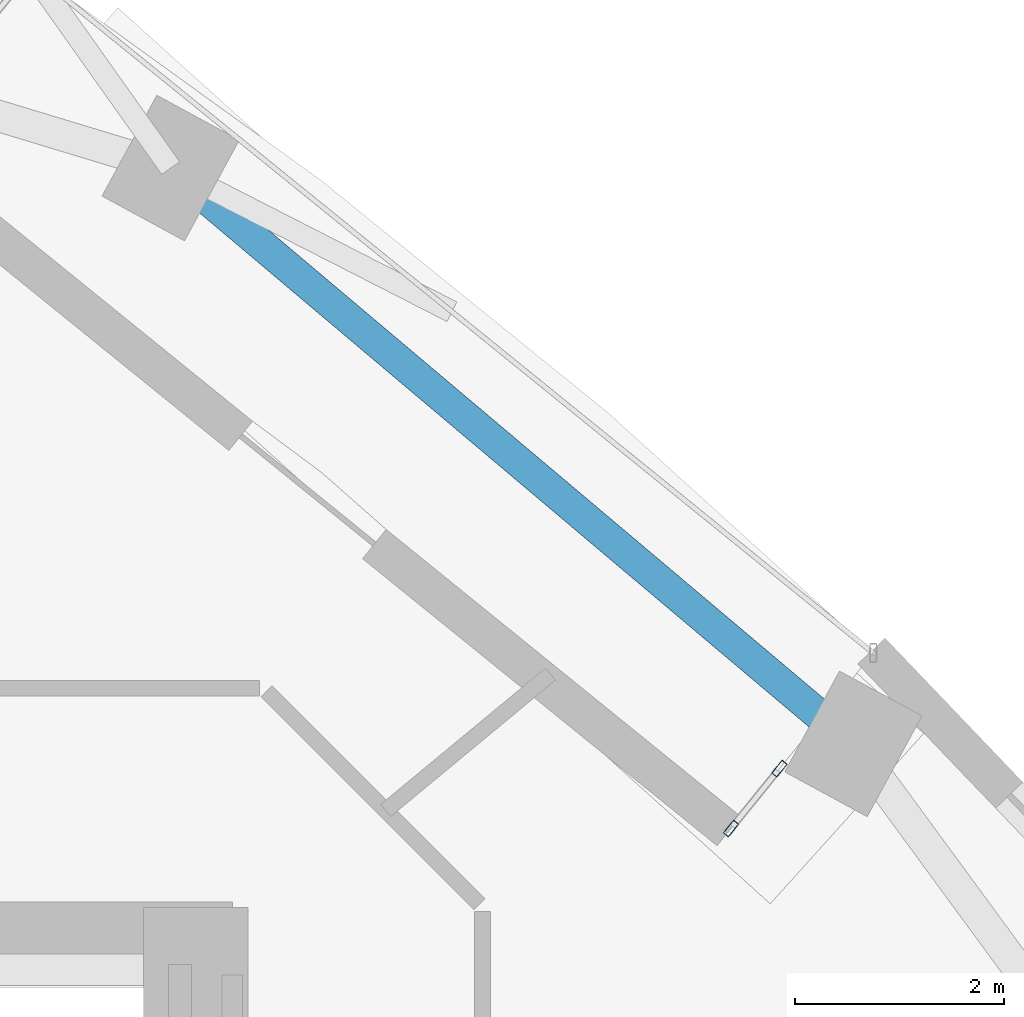
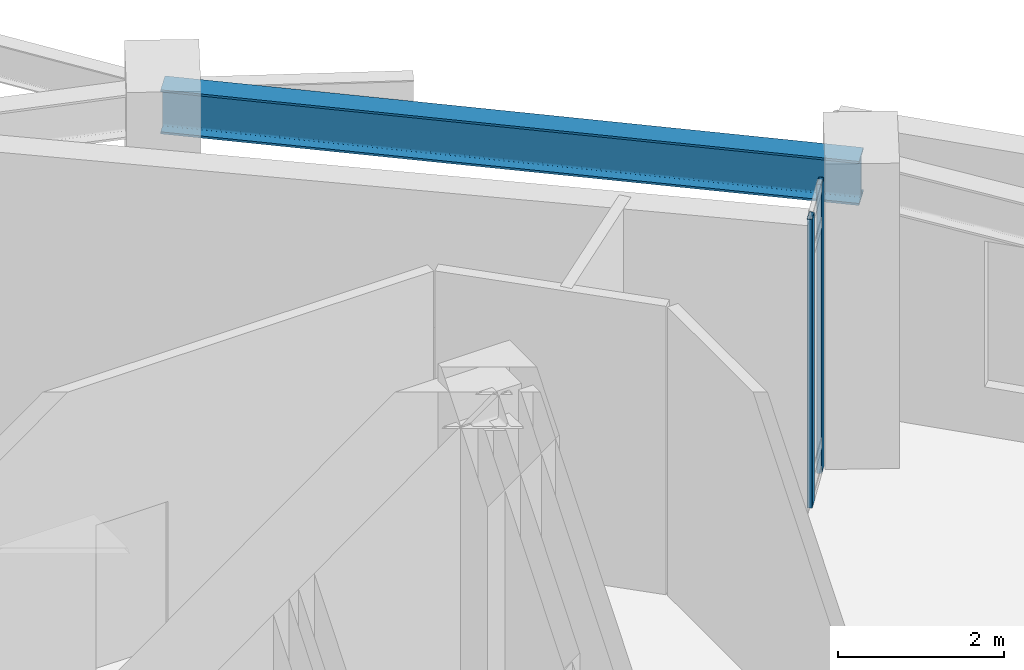
# One storey, part 4 of 16: 2 members, 1 beam, 1 element without a shape of its own.
"""IFC4 building model written with IfcOpenShell, lengths in metres."""

from ifc_helpers import new_model, si_unit, direction, frame, origin, origin_2d, place, context, subcontext, project, spatial, hollow_rectangle, i_section, extrude, material, layer, layer_set, material_profile, profile_set, type_object, element, aggregate, save


model = new_model("IFC4")

# Units and contexts
model_context = context("Model", 3, precision=1e-05, world=origin(), true_north=direction((0.0, 1.0)))
body_context = subcontext(model_context, "Body", "Model", "MODEL_VIEW")
ifc_project = project(units=[si_unit("LENGTHUNIT", "METRE"), si_unit("AREAUNIT", "SQUARE_METRE"), si_unit("VOLUMEUNIT", "CUBIC_METRE"), si_unit("PLANEANGLEUNIT", "RADIAN"), si_unit("MASSUNIT", "GRAM", prefix="KILO")], contexts=[model_context])

# Site, building, storey
site_placement = place(None, origin())
site = spatial("IfcSite", under=ifc_project, at=site_placement, CompositionType="ELEMENT")
building_placement = place(site_placement, origin())
building = spatial("IfcBuilding", under=site, at=building_placement, Name="Ndelora Gate Hotel", CompositionType="ELEMENT")
storey_placement = place(building_placement, frame((0.0, 0.0, 92.75)))
storey = spatial("IfcBuildingStorey", under=building, at=storey_placement, Name="L22", CompositionType="ELEMENT", Elevation=92.75)

# Beam
ifc_material_1 = material(Name="Steel S355", Category="steel")
ifc_material_profile_1 = material_profile(ifc_material_1, i_section(OverallWidth=0.300048828125, OverallDepth=0.64990234375, WebThickness=0.01611328125, FlangeThickness=0.031005859375, FilletRadius=0.027099609375, at=origin_2d()), Name="HEB 650")
ifc_profile_set_1 = profile_set([ifc_material_profile_1], Name="Steel S355")
beam_type = type_object("IfcBeamType", Name="BM-RING-650", PredefinedType="SPANDREL", material=ifc_profile_set_1)
beam_placement = place(storey_placement, frame((14.30712890625, 8.767333984375, 3.925048828125), z_axis=(-0.76440691948, 0.644734101356, 0.0), x_axis=(-0.644734101356, -0.76440691948, 0.0)))
element("IfcBeam", 1, at=beam_placement, inside=storey, type_object=beam_type, Name="L22 Perimeter Spandrel Girder 10", PredefinedType="SPANDREL", context=body_context, shape_type="SweptSolid", body=[
    extrude(i_section(OverallWidth=0.300048828125, OverallDepth=0.64990234375, WebThickness=0.01611328125, FlangeThickness=0.031005859375, FilletRadius=0.027099609375, at=origin_2d()), origin(), (0.0, 0.0, 1.0), 8.566162109375),
])

# Curtain wall, members
ifc_material_2 = material(Name="Bronze Anodised Unitised Aluminium and Low-E Glass", Category="aluminium")
ifc_layer = layer(ifc_material_2, 0.199951171875)
ifc_layer_set = layer_set([ifc_layer], Name="Bronze Anodised Unitised Aluminium and Low-E Glass")
curtain_wall_type = type_object("IfcCurtainWallType", Name="CW-SYS-3", PredefinedType="NOTDEFINED", material=ifc_layer_set)
curtain_wall_placement = place(storey_placement, origin())
curtain_wall = element("IfcCurtainWall", 2, at=curtain_wall_placement, inside=storey, type_object=curtain_wall_type, Name="L22 Sky-Garden Loggia Side Curtain Wall CW3-1", PredefinedType="NOTDEFINED")
ifc_material_3 = material(Name="Bronze Anodised Aluminium 6063-T6", Category="aluminium")
ifc_material_profile_2 = material_profile(ifc_material_3, hollow_rectangle(XDim=0.06494140625, YDim=0.159912109375, WallThickness=0.00390625, InnerFilletRadius=0.00390625, OuterFilletRadius=0.008056640625, at=origin_2d()), Name="ALU 160x65x4")
ifc_profile_set_2 = profile_set([ifc_material_profile_2], Name="Bronze Anodised Aluminium 6063-T6")
member_type = type_object("IfcMemberType", Name="MB-CW-MUL150", PredefinedType="MULLION", material=ifc_profile_set_2)
member_1_placement = place(storey_placement, frame((13.133544921875, 7.955810546875, -0.00390625), z_axis=(0.0, 0.0, 1.0), x_axis=(-0.777117409308, 0.629355648382, 0.0)))
member_1 = element("IfcMember", 3, at=member_1_placement, type_object=member_type, Name="CW3 mullion 1", PredefinedType="MULLION", context=body_context, shape_type="SweptSolid", body=[
    extrude(hollow_rectangle(XDim=0.06494140625, YDim=0.159912109375, WallThickness=0.00390625, InnerFilletRadius=0.00390625, OuterFilletRadius=0.008056640625, at=origin_2d()), origin(), (0.0, 0.0, 1.0), 4.2578125),
])
member_2_placement = place(storey_placement, frame((13.5986328125, 8.530029296875, -0.00390625), z_axis=(0.0, 0.0, 1.0), x_axis=(-0.777117409308, 0.629355648382, 0.0)))
member_2 = element("IfcMember", 4, at=member_2_placement, type_object=member_type, Name="CW3 mullion 2", PredefinedType="MULLION", context=body_context, shape_type="SweptSolid", body=[
    extrude(hollow_rectangle(XDim=0.06494140625, YDim=0.159912109375, WallThickness=0.00390625, InnerFilletRadius=0.00390625, OuterFilletRadius=0.008056640625, at=origin_2d()), origin(), (0.0, 0.0, 1.0), 4.2578125),
])
aggregate(curtain_wall, [member_1, member_2])

save(model, "model.ifc")
